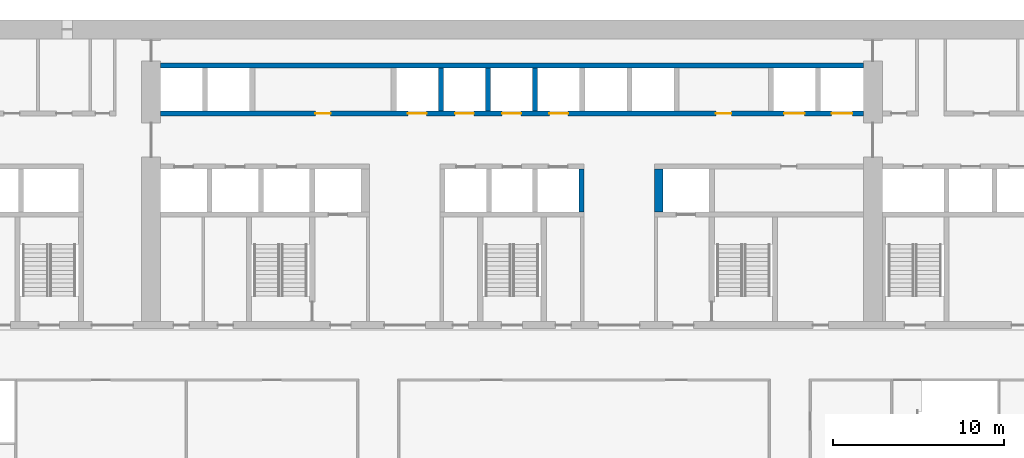
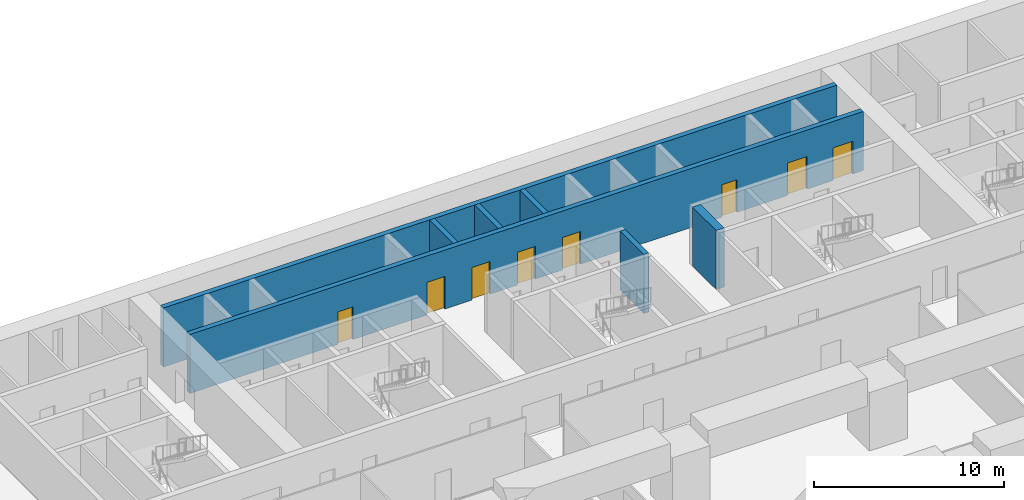
# One storey, part 10 of 17: 8 doors, 7 walls, 8 openings.
"""IFC4 building model written with IfcOpenShell, lengths in metres."""

from ifc_helpers import new_model, si_unit, direction, frame, frame_2d, origin, place, context, subcontext, project, spatial, rectangle, extrude, material, layer, layer_set, type_object, element, fill, save


model = new_model("IFC4")

# Units and contexts
model_context = context("Model", 3, precision=1e-05, world=origin(), true_north=direction((0.0, 1.0)))
body_context = subcontext(model_context, "Body", "Model", "MODEL_VIEW")
ifc_project = project(units=[si_unit("LENGTHUNIT", "METRE"), si_unit("AREAUNIT", "SQUARE_METRE"), si_unit("VOLUMEUNIT", "CUBIC_METRE"), si_unit("PLANEANGLEUNIT", "RADIAN"), si_unit("MASSUNIT", "GRAM", prefix="KILO")], contexts=[model_context])

# Site, building, storey
site_placement = place(None, origin())
site = spatial("IfcSite", under=ifc_project, at=site_placement, CompositionType="ELEMENT")
building_placement = place(site_placement, origin())
building = spatial("IfcBuilding", under=site, at=building_placement, Name="Calvaro Tower", CompositionType="ELEMENT")
storey_placement = place(building_placement, frame((0.0, 0.0, 17.89990234375)))
storey = spatial("IfcBuildingStorey", under=building, at=storey_placement, Name="L03", CompositionType="ELEMENT", Elevation=17.89990234375)

# Wall
ifc_material_1 = material(Name="Concrete C80/95", Category="concrete")
ifc_layer_1 = layer(ifc_material_1, 0.300048828125)
ifc_layer_set_1 = layer_set([ifc_layer_1], Name="Concrete C80/95")
wall_type_1 = type_object("IfcWallType", Name="Core wall C80/95 300", PredefinedType="SHEAR", material=ifc_layer_set_1)
wall_1_placement = place(storey_placement, frame((43.050048828125, 34.800048828125, 0.0), z_axis=(0.0, 0.0, 1.0), x_axis=(0.0, 1.0, 0.0)))
element("IfcWall", 1, at=wall_1_placement, inside=storey, type_object=wall_type_1, Name="Core wall, lift shaft", PredefinedType="SHEAR", context=body_context, shape_type="SweptSolid", body=[
    extrude(rectangle(XDim=2.5, YDim=0.300048828125, at=frame_2d((1.25, 0.0))), origin(), (0.0, 0.0, 1.0), 3.800048828125),
])

# Wall, openings, doors
wall_2_placement = place(storey_placement, frame((18.5, 40.550048828125, 0.0), z_axis=(0.0, 0.0, 1.0), x_axis=(1.0, 0.0, 0.0)))
wall_2 = element("IfcWall", 2, at=wall_2_placement, inside=storey, type_object=wall_type_1, Name="Core wall, bay", PredefinedType="SHEAR", context=body_context, shape_type="SweptSolid", body=[
    extrude(rectangle(XDim=41.0, YDim=0.300048828125, at=frame_2d((20.5, 0.0))), origin(), (0.0, 0.0, 1.0), 3.800048828125),
])
opening_1_placement = place(wall_2_placement, frame((9.02490234375, 0.0, 0.0)))
opening_1 = element("IfcOpeningElement", 3, at=opening_1_placement, cuts=wall_2, Name="Opening RD9C", PredefinedType="OPENING", context=body_context, shape_type="SweptSolid", body=[
    extrude(rectangle(XDim=0.89990234375, YDim=2.10009765625, at=frame_2d((0.449951171875, 1.050048828125))), frame((0.0, 0.159912109375, 0.0), z_axis=(0.0, -1.0, 0.0), x_axis=(1.0, 0.0, 0.0)), (0.0, 0.0, 1.0), 0.320068359375),
])
opening_2_placement = place(wall_2_placement, frame((32.39990234375, 0.0, 0.0)))
opening_2 = element("IfcOpeningElement", 4, at=opening_2_placement, cuts=wall_2, Name="Opening RD9C", PredefinedType="OPENING", context=body_context, shape_type="SweptSolid", body=[
    extrude(rectangle(XDim=0.89990234375, YDim=2.10009765625, at=frame_2d((0.449951171875, 1.050048828125))), frame((0.0, 0.159912109375, 0.0), z_axis=(0.0, -1.0, 0.0), x_axis=(1.0, 0.0, 0.0)), (0.0, 0.0, 1.0), 0.320068359375),
])
opening_3_placement = place(wall_2_placement, frame((14.425048828125, 0.0, 0.0)))
opening_3 = element("IfcOpeningElement", 5, at=opening_3_placement, cuts=wall_2, Name="Opening LR7", PredefinedType="OPENING", context=body_context, shape_type="SweptSolid", body=[
    extrude(rectangle(XDim=1.10009765625, YDim=2.10009765625, at=frame_2d((0.550048828125, 1.050048828125))), frame((0.0, 0.159912109375, 0.0), z_axis=(0.0, -1.0, 0.0), x_axis=(1.0, 0.0, 0.0)), (0.0, 0.0, 1.0), 0.320068359375),
])
opening_4_placement = place(wall_2_placement, frame((17.175048828125, 0.0, 0.0)))
opening_4 = element("IfcOpeningElement", 6, at=opening_4_placement, cuts=wall_2, Name="Opening LR8", PredefinedType="OPENING", context=body_context, shape_type="SweptSolid", body=[
    extrude(rectangle(XDim=1.10009765625, YDim=2.10009765625, at=frame_2d((0.550048828125, 1.050048828125))), frame((0.0, 0.159912109375, 0.0), z_axis=(0.0, -1.0, 0.0), x_axis=(1.0, 0.0, 0.0)), (0.0, 0.0, 1.0), 0.320068359375),
])
opening_5_placement = place(wall_2_placement, frame((19.925048828125, 0.0, 0.0)))
opening_5 = element("IfcOpeningElement", 7, at=opening_5_placement, cuts=wall_2, Name="Opening LR9", PredefinedType="OPENING", context=body_context, shape_type="SweptSolid", body=[
    extrude(rectangle(XDim=1.10009765625, YDim=2.10009765625, at=frame_2d((0.550048828125, 1.050048828125))), frame((0.0, 0.159912109375, 0.0), z_axis=(0.0, -1.0, 0.0), x_axis=(1.0, 0.0, 0.0)), (0.0, 0.0, 1.0), 0.320068359375),
])
opening_6_placement = place(wall_2_placement, frame((22.675048828125, 0.0, 0.0)))
opening_6 = element("IfcOpeningElement", 8, at=opening_6_placement, cuts=wall_2, Name="Opening LR10", PredefinedType="OPENING", context=body_context, shape_type="SweptSolid", body=[
    extrude(rectangle(XDim=1.10009765625, YDim=2.10009765625, at=frame_2d((0.550048828125, 1.050048828125))), frame((0.0, 0.159912109375, 0.0), z_axis=(0.0, -1.0, 0.0), x_axis=(1.0, 0.0, 0.0)), (0.0, 0.0, 1.0), 0.320068359375),
])
opening_7_placement = place(wall_2_placement, frame((36.375, 0.0, 0.0)))
opening_7 = element("IfcOpeningElement", 9, at=opening_7_placement, cuts=wall_2, Name="Opening SV1", PredefinedType="OPENING", context=body_context, shape_type="SweptSolid", body=[
    extrude(rectangle(XDim=1.199951171875, YDim=2.10009765625, at=frame_2d((0.60009765625, 1.050048828125))), frame((0.0, 0.159912109375, 0.0), z_axis=(0.0, -1.0, 0.0), x_axis=(1.0, 0.0, 0.0)), (0.0, 0.0, 1.0), 0.320068359375),
])
opening_8_placement = place(wall_2_placement, frame((39.14990234375, 0.0, 0.0)))
opening_8 = element("IfcOpeningElement", 10, at=opening_8_placement, cuts=wall_2, Name="Opening SV2", PredefinedType="OPENING", context=body_context, shape_type="SweptSolid", body=[
    extrude(rectangle(XDim=1.199951171875, YDim=2.10009765625, at=frame_2d((0.60009765625, 1.050048828125))), frame((0.0, 0.159912109375, 0.0), z_axis=(0.0, -1.0, 0.0), x_axis=(1.0, 0.0, 0.0)), (0.0, 0.0, 1.0), 0.320068359375),
])
ifc_material_2 = material(Name="Stainless steel", Category="steel")
door_type_1 = type_object("IfcDoorType", Name="Landing door 1100 E 60", OperationType="SLIDING_TO_LEFT", PredefinedType="DOOR", material=ifc_material_2)
door_1_placement = place(opening_3_placement, origin())
door_1 = element("IfcDoor", 11, at=door_1_placement, inside=storey, type_object=door_type_1, Name="Landing door LR7", OperationType="SLIDING_TO_LEFT", OverallHeight=2.10009765625, OverallWidth=1.10009765625, PredefinedType="DOOR", context=body_context, shape_type="SweptSolid", body=[
    extrude(rectangle(XDim=1.10009765625, YDim=2.10009765625, at=frame_2d((0.550048828125, 1.050048828125))), frame((0.0, 0.02490234375, 0.0), z_axis=(0.0, -1.0, 0.0), x_axis=(1.0, 0.0, 0.0)), (0.0, 0.0, 1.0), 0.050048828125),
])
fill(opening_3, door_1)
door_2_placement = place(opening_4_placement, origin())
door_2 = element("IfcDoor", 12, at=door_2_placement, inside=storey, type_object=door_type_1, Name="Landing door LR8", OperationType="SLIDING_TO_LEFT", OverallHeight=2.10009765625, OverallWidth=1.10009765625, PredefinedType="DOOR", context=body_context, shape_type="SweptSolid", body=[
    extrude(rectangle(XDim=1.10009765625, YDim=2.10009765625, at=frame_2d((0.550048828125, 1.050048828125))), frame((0.0, 0.02490234375, 0.0), z_axis=(0.0, -1.0, 0.0), x_axis=(1.0, 0.0, 0.0)), (0.0, 0.0, 1.0), 0.050048828125),
])
fill(opening_4, door_2)
door_3_placement = place(opening_5_placement, origin())
door_3 = element("IfcDoor", 13, at=door_3_placement, inside=storey, type_object=door_type_1, Name="Landing door LR9", OperationType="SLIDING_TO_LEFT", OverallHeight=2.10009765625, OverallWidth=1.10009765625, PredefinedType="DOOR", context=body_context, shape_type="SweptSolid", body=[
    extrude(rectangle(XDim=1.10009765625, YDim=2.10009765625, at=frame_2d((0.550048828125, 1.050048828125))), frame((0.0, 0.02490234375, 0.0), z_axis=(0.0, -1.0, 0.0), x_axis=(1.0, 0.0, 0.0)), (0.0, 0.0, 1.0), 0.050048828125),
])
fill(opening_5, door_3)
door_4_placement = place(opening_6_placement, origin())
door_4 = element("IfcDoor", 14, at=door_4_placement, inside=storey, type_object=door_type_1, Name="Landing door LR10", OperationType="SLIDING_TO_LEFT", OverallHeight=2.10009765625, OverallWidth=1.10009765625, PredefinedType="DOOR", context=body_context, shape_type="SweptSolid", body=[
    extrude(rectangle(XDim=1.10009765625, YDim=2.10009765625, at=frame_2d((0.550048828125, 1.050048828125))), frame((0.0, 0.02490234375, 0.0), z_axis=(0.0, -1.0, 0.0), x_axis=(1.0, 0.0, 0.0)), (0.0, 0.0, 1.0), 0.050048828125),
])
fill(opening_6, door_4)
ifc_material_3 = material(Name="Stainless steel", Category="steel")
door_type_2 = type_object("IfcDoorType", Name="Landing door 1200 E 60", OperationType="SLIDING_TO_LEFT", PredefinedType="DOOR", material=ifc_material_3)
door_5_placement = place(opening_7_placement, origin())
door_5 = element("IfcDoor", 15, at=door_5_placement, inside=storey, type_object=door_type_2, Name="Landing door SV1", OperationType="SLIDING_TO_LEFT", OverallHeight=2.10009765625, OverallWidth=1.199951171875, PredefinedType="DOOR", context=body_context, shape_type="SweptSolid", body=[
    extrude(rectangle(XDim=1.199951171875, YDim=2.10009765625, at=frame_2d((0.60009765625, 1.050048828125))), frame((0.0, 0.02490234375, 0.0), z_axis=(0.0, -1.0, 0.0), x_axis=(1.0, 0.0, 0.0)), (0.0, 0.0, 1.0), 0.050048828125),
])
fill(opening_7, door_5)
door_6_placement = place(opening_8_placement, origin())
door_6 = element("IfcDoor", 16, at=door_6_placement, inside=storey, type_object=door_type_2, Name="Landing door SV2", OperationType="SLIDING_TO_LEFT", OverallHeight=2.10009765625, OverallWidth=1.199951171875, PredefinedType="DOOR", context=body_context, shape_type="SweptSolid", body=[
    extrude(rectangle(XDim=1.199951171875, YDim=2.10009765625, at=frame_2d((0.60009765625, 1.050048828125))), frame((0.0, 0.02490234375, 0.0), z_axis=(0.0, -1.0, 0.0), x_axis=(1.0, 0.0, 0.0)), (0.0, 0.0, 1.0), 0.050048828125),
])
fill(opening_8, door_6)
ifc_material_4 = material(Name="Steel door set", Category="steel")
door_type_3 = type_object("IfcDoorType", Name="Room door 900 FD30", OperationType="SINGLE_SWING_LEFT", PredefinedType="DOOR", material=ifc_material_4)
door_7_placement = place(opening_1_placement, origin())
door_7 = element("IfcDoor", 17, at=door_7_placement, inside=storey, type_object=door_type_3, Name="Room door", OperationType="SINGLE_SWING_RIGHT", OverallHeight=2.10009765625, OverallWidth=0.89990234375, PredefinedType="DOOR", context=body_context, shape_type="SweptSolid", body=[
    extrude(rectangle(XDim=0.89990234375, YDim=2.10009765625, at=frame_2d((0.449951171875, 1.050048828125))), frame((0.0, 0.02490234375, 0.0), z_axis=(0.0, -1.0, 0.0), x_axis=(1.0, 0.0, 0.0)), (0.0, 0.0, 1.0), 0.050048828125),
])
fill(opening_1, door_7)
door_8_placement = place(opening_2_placement, origin())
door_8 = element("IfcDoor", 18, at=door_8_placement, inside=storey, type_object=door_type_3, Name="Room door", OperationType="SINGLE_SWING_LEFT", OverallHeight=2.10009765625, OverallWidth=0.89990234375, PredefinedType="DOOR", context=body_context, shape_type="SweptSolid", body=[
    extrude(rectangle(XDim=0.89990234375, YDim=2.10009765625, at=frame_2d((0.449951171875, 1.050048828125))), frame((0.0, 0.02490234375, 0.0), z_axis=(0.0, -1.0, 0.0), x_axis=(1.0, 0.0, 0.0)), (0.0, 0.0, 1.0), 0.050048828125),
])
fill(opening_2, door_8)

# Walls
wall_3_placement = place(storey_placement, frame((18.5, 43.35009765625, 0.0), z_axis=(0.0, 0.0, 1.0), x_axis=(1.0, 0.0, 0.0)))
element("IfcWall", 19, at=wall_3_placement, inside=storey, type_object=wall_type_1, Name="Core wall, lift shaft", PredefinedType="SHEAR", context=body_context, shape_type="SweptSolid", body=[
    extrude(rectangle(XDim=41.0, YDim=0.300048828125, at=frame_2d((20.5, 0.0))), origin(), (0.0, 0.0, 1.0), 3.800048828125),
])
for number, where, z_axis, x_axis, name in (
    (20, (34.85009765625, 40.699951171875, 0.0), (0.0, 0.0, 1.0), (0.0, 1.0, 0.0), "Core wall, lift shaft"),
    (21, (37.60009765625, 40.699951171875, 0.0), (0.0, 0.0, 1.0), (0.0, 1.0, 0.0), "Core wall, lift shaft"),
    (22, (40.35009765625, 40.699951171875, 0.0), (0.0, 0.0, 1.0), (0.0, 1.0, 0.0), "Core wall, lift shaft"),
):
    element("IfcWall", number, at=place(storey_placement, frame(where, z_axis=z_axis, x_axis=x_axis)), inside=storey, type_object=wall_type_1, Name=name, PredefinedType="SHEAR", context=body_context, shape_type="SweptSolid", body=[
        extrude(rectangle(XDim=2.5, YDim=0.300048828125, at=frame_2d((1.25, 0.0))), origin(), (0.0, 0.0, 1.0), 3.800048828125),
    ])
ifc_material_5 = material(Name="Concrete C80/95", Category="concrete")
ifc_layer_2 = layer(ifc_material_5, 0.5)
ifc_layer_set_2 = layer_set([ifc_layer_2], Name="Concrete C80/95")
wall_type_2 = type_object("IfcWallType", Name="Core wall C80/95 500", PredefinedType="SHEAR", material=ifc_layer_set_2)
wall_4_placement = place(storey_placement, frame((47.550048828125, 34.800048828125, 0.0), z_axis=(0.0, 0.0, 1.0), x_axis=(0.0, 1.0, 0.0)))
element("IfcWall", 23, at=wall_4_placement, inside=storey, type_object=wall_type_2, Name="Core wall, lift shaft", PredefinedType="SHEAR", context=body_context, shape_type="SweptSolid", body=[
    extrude(rectangle(XDim=2.5, YDim=0.5, at=frame_2d((1.25, 0.0))), origin(), (0.0, 0.0, 1.0), 3.800048828125),
])

save(model, "model.ifc")
